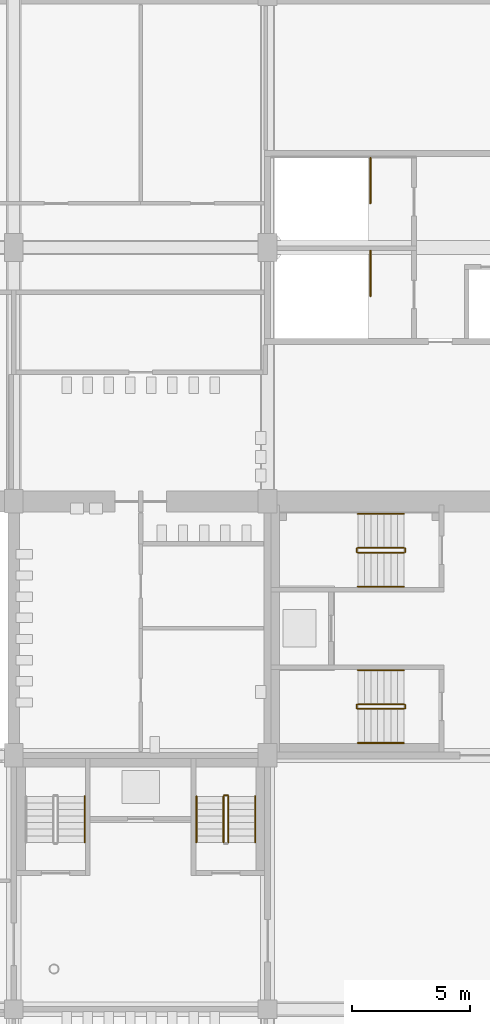
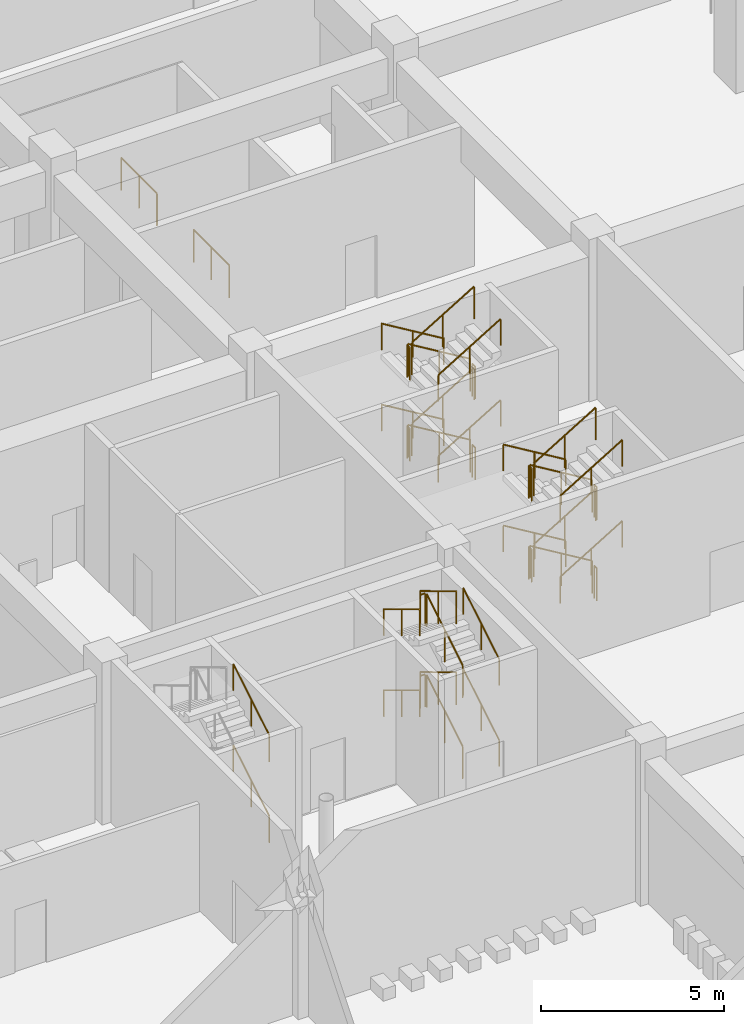
# One storey, part 80 of 101: 38 railings.
"""IFC4 building model written with IfcOpenShell, lengths in metres."""

from ifc_helpers import new_model, si_unit, direction, frame, origin, origin_2d, place, context, subcontext, project, spatial, circle, extrude, material, type_object, element, save


model = new_model("IFC4")

# Units and contexts
model_context = context("Model", 3, precision=1e-05, world=origin(), true_north=direction((0.0, 1.0)))
body_context = subcontext(model_context, "Body", "Model", "MODEL_VIEW")
ifc_project = project(units=[si_unit("LENGTHUNIT", "METRE"), si_unit("AREAUNIT", "SQUARE_METRE"), si_unit("VOLUMEUNIT", "CUBIC_METRE"), si_unit("PLANEANGLEUNIT", "RADIAN"), si_unit("MASSUNIT", "GRAM", prefix="KILO")], contexts=[model_context])

# Site, building, storey
site_placement = place(None, origin())
site = spatial("IfcSite", under=ifc_project, at=site_placement, CompositionType="ELEMENT")
building_placement = place(site_placement, origin())
building = spatial("IfcBuilding", under=site, at=building_placement, Name="Magnolia Steps Interchange", CompositionType="ELEMENT")
storey_placement = place(building_placement, frame((0.0, 0.0, -5.39990234375)))
storey = spatial("IfcBuildingStorey", under=building, at=storey_placement, Name="B1", CompositionType="ELEMENT", Elevation=-5.39990234375)

# Railings
ifc_material_1 = material(Name="Stainless steel grade 304", Category="steel")
railing_type_1 = type_object("IfcRailingType", Name="Stair guard 1100", PredefinedType="GUARDRAIL", material=ifc_material_1)
railing_1_placement = place(storey_placement, frame((59.0, 44.573974609375, 0.168701171875)))
element("IfcRailing", 1, at=railing_1_placement, inside=storey, type_object=railing_type_1, Name="B1 ST5 stair guard 1", PredefinedType="GUARDRAIL", context=body_context, shape_type="SweptSolid", body=[
    extrude(circle(Radius=0.02392578125, at=origin_2d()), frame((0.0, 0.0, 1.076171875), z_axis=(-0.856493463811, 0.0, 0.516157869696), x_axis=(0.0, -1.0, 0.0)), (0.0, 0.0, 1.0), 2.288330078125),
    extrude(circle(Radius=0.02099609375, at=origin_2d()), origin(), (0.0, 0.0, 1.0), 1.052001953125),
    extrude(circle(Radius=0.02099609375, at=origin_2d()), frame((-0.97998046875, 0.0, 0.590576171875)), (0.0, 0.0, 1.0), 1.052001953125),
    extrude(circle(Radius=0.02099609375, at=origin_2d()), frame((-1.9599609375, 0.0, 1.18115234375)), (0.0, 0.0, 1.0), 1.052001953125),
])
railing_2_placement = place(storey_placement, frame((56.989990234375, 44.550048828125, 1.349853515625)))
element("IfcRailing", 2, at=railing_2_placement, inside=storey, type_object=railing_type_1, Name="B1 ST5 stair guard 2", PredefinedType="GUARDRAIL", context=body_context, shape_type="SweptSolid", body=[
    extrude(circle(Radius=0.02392578125, at=origin_2d()), frame((0.0, 0.0, 1.076171875), z_axis=(0.0, -1.0, 0.0), x_axis=(1.0, 0.0, 0.0)), (0.0, 0.0, 1.0), 0.150146484375),
    extrude(circle(Radius=0.02099609375, at=origin_2d()), origin(), (0.0, 0.0, 1.0), 1.052001953125),
    extrude(circle(Radius=0.02099609375, at=origin_2d()), frame((0.0, -0.150146484375, 0.0)), (0.0, 0.0, 1.0), 1.052001953125),
])
railing_3_placement = place(storey_placement, frame((57.0400390625, 44.3759765625, 1.5185546875)))
element("IfcRailing", 3, at=railing_3_placement, inside=storey, type_object=railing_type_1, Name="B1 ST5 stair guard 3", PredefinedType="GUARDRAIL", context=body_context, shape_type="SweptSolid", body=[
    extrude(circle(Radius=0.02392578125, at=origin_2d()), frame((0.0, 0.0, 1.076171875), z_axis=(0.856446297458, 0.0, 0.516236127728), x_axis=(0.0, 1.0, 0.0)), (0.0, 0.0, 1.0), 2.28857421875),
    extrude(circle(Radius=0.02099609375, at=origin_2d()), origin(), (0.0, 0.0, 1.0), 1.052001953125),
    extrude(circle(Radius=0.02099609375, at=origin_2d()), frame((0.97998046875, 0.0, 0.5908203125)), (0.0, 0.0, 1.0), 1.052001953125),
    extrude(circle(Radius=0.02099609375, at=origin_2d()), frame((1.9599609375, 0.0, 1.181396484375)), (0.0, 0.0, 1.0), 1.052001953125),
])
railing_4_placement = place(storey_placement, frame((59.050048828125, 44.550048828125, 2.699951171875)))
element("IfcRailing", 4, at=railing_4_placement, inside=storey, type_object=railing_type_1, Name="B1 ST5 stair guard 4", PredefinedType="GUARDRAIL", context=body_context, shape_type="SweptSolid", body=[
    extrude(circle(Radius=0.02392578125, at=origin_2d()), frame((0.0, 0.0, 1.076171875), z_axis=(0.0, -1.0, 0.0), x_axis=(1.0, 0.0, 0.0)), (0.0, 0.0, 1.0), 0.150146484375),
    extrude(circle(Radius=0.02099609375, at=origin_2d()), origin(), (0.0, 0.0, 1.0), 1.052001953125),
    extrude(circle(Radius=0.02099609375, at=origin_2d()), frame((0.0, -0.150146484375, 0.0)), (0.0, 0.0, 1.0), 1.052001953125),
])
railing_5_placement = place(storey_placement, frame((59.0, 44.573974609375, 2.86865234375)))
element("IfcRailing", 5, at=railing_5_placement, inside=storey, type_object=railing_type_1, Name="B1 ST5 stair guard 5", PredefinedType="GUARDRAIL", context=body_context, shape_type="SweptSolid", body=[
    extrude(circle(Radius=0.02392578125, at=origin_2d()), frame((0.0, 0.0, 1.076171875), z_axis=(-0.856493463811, 0.0, 0.516157869696), x_axis=(0.0, -1.0, 0.0)), (0.0, 0.0, 1.0), 2.288330078125),
    extrude(circle(Radius=0.02099609375, at=origin_2d()), origin(), (0.0, 0.0, 1.0), 1.052001953125),
    extrude(circle(Radius=0.02099609375, at=origin_2d()), frame((-0.97998046875, 0.0, 0.590576171875)), (0.0, 0.0, 1.0), 1.052001953125),
    extrude(circle(Radius=0.02099609375, at=origin_2d()), frame((-1.9599609375, 0.0, 1.18115234375)), (0.0, 0.0, 1.0), 1.052001953125),
])
railing_6_placement = place(storey_placement, frame((56.989990234375, 44.550048828125, 4.0498046875)))
element("IfcRailing", 6, at=railing_6_placement, inside=storey, type_object=railing_type_1, Name="B1 ST5 stair guard 6", PredefinedType="GUARDRAIL", context=body_context, shape_type="SweptSolid", body=[
    extrude(circle(Radius=0.02392578125, at=origin_2d()), frame((0.0, 0.0, 1.076171875), z_axis=(0.0, -1.0, 0.0), x_axis=(1.0, 0.0, 0.0)), (0.0, 0.0, 1.0), 0.150146484375),
    extrude(circle(Radius=0.02099609375, at=origin_2d()), origin(), (0.0, 0.0, 1.0), 1.052001953125),
    extrude(circle(Radius=0.02099609375, at=origin_2d()), frame((0.0, -0.150146484375, 0.0)), (0.0, 0.0, 1.0), 1.052001953125),
])
railing_7_placement = place(storey_placement, frame((57.0400390625, 44.3759765625, 4.21875)))
element("IfcRailing", 7, at=railing_7_placement, inside=storey, type_object=railing_type_1, Name="B1 ST5 stair guard 7", PredefinedType="GUARDRAIL", context=body_context, shape_type="SweptSolid", body=[
    extrude(circle(Radius=0.02392578125, at=origin_2d()), frame((0.0, 0.0, 1.076171875), z_axis=(0.856493463811, 0.0, 0.516157869696), x_axis=(0.0, 1.0, 0.0)), (0.0, 0.0, 1.0), 2.288330078125),
    extrude(circle(Radius=0.02099609375, at=origin_2d()), origin(), (0.0, 0.0, 1.0), 1.052001953125),
    extrude(circle(Radius=0.02099609375, at=origin_2d()), frame((0.97998046875, 0.0, 0.590576171875)), (0.0, 0.0, 1.0), 1.052001953125),
    extrude(circle(Radius=0.02099609375, at=origin_2d()), frame((1.9599609375, 0.0, 1.18115234375)), (0.0, 0.0, 1.0), 1.052001953125),
])
railing_8_placement = place(storey_placement, frame((59.050048828125, 44.550048828125, 0.0)))
element("IfcRailing", 8, at=railing_8_placement, inside=storey, type_object=railing_type_1, Name="B1 ST5 stair guard 8", PredefinedType="GUARDRAIL", context=body_context, shape_type="SweptSolid", body=[
    extrude(circle(Radius=0.02392578125, at=origin_2d()), frame((0.0, 0.0, 1.076171875), z_axis=(0.0, -1.0, 0.0), x_axis=(1.0, 0.0, 0.0)), (0.0, 0.0, 1.0), 0.150146484375),
    extrude(circle(Radius=0.02099609375, at=origin_2d()), origin(), (0.0, 0.0, 1.0), 1.052001953125),
    extrude(circle(Radius=0.02099609375, at=origin_2d()), frame((0.0, -0.150146484375, 0.0)), (0.0, 0.0, 1.0), 1.052001953125),
])
railing_9_placement = place(storey_placement, frame((59.0, 51.22412109375, 0.168701171875)))
element("IfcRailing", 9, at=railing_9_placement, inside=storey, type_object=railing_type_1, Name="B1 ST6 stair guard 1", PredefinedType="GUARDRAIL", context=body_context, shape_type="SweptSolid", body=[
    extrude(circle(Radius=0.02392578125, at=origin_2d()), frame((0.0, 0.0, 1.076171875), z_axis=(-0.856493463811, 0.0, 0.516157869696), x_axis=(0.0, -1.0, 0.0)), (0.0, 0.0, 1.0), 2.288330078125),
    extrude(circle(Radius=0.02099609375, at=origin_2d()), origin(), (0.0, 0.0, 1.0), 1.052001953125),
    extrude(circle(Radius=0.02099609375, at=origin_2d()), frame((-0.97998046875, 0.0, 0.590576171875)), (0.0, 0.0, 1.0), 1.052001953125),
    extrude(circle(Radius=0.02099609375, at=origin_2d()), frame((-1.9599609375, 0.0, 1.18115234375)), (0.0, 0.0, 1.0), 1.052001953125),
])
railing_10_placement = place(storey_placement, frame((56.989990234375, 51.199951171875, 1.349853515625)))
element("IfcRailing", 10, at=railing_10_placement, inside=storey, type_object=railing_type_1, Name="B1 ST6 stair guard 2", PredefinedType="GUARDRAIL", context=body_context, shape_type="SweptSolid", body=[
    extrude(circle(Radius=0.02392578125, at=origin_2d()), frame((0.0, 0.0, 1.076171875), z_axis=(0.0, -1.0, 0.0), x_axis=(1.0, 0.0, 0.0)), (0.0, 0.0, 1.0), 0.14990234375),
    extrude(circle(Radius=0.02099609375, at=origin_2d()), origin(), (0.0, 0.0, 1.0), 1.052001953125),
    extrude(circle(Radius=0.02099609375, at=origin_2d()), frame((0.0, -0.14990234375, 0.0)), (0.0, 0.0, 1.0), 1.052001953125),
])
railing_11_placement = place(storey_placement, frame((57.0400390625, 51.02587890625, 1.5185546875)))
element("IfcRailing", 11, at=railing_11_placement, inside=storey, type_object=railing_type_1, Name="B1 ST6 stair guard 3", PredefinedType="GUARDRAIL", context=body_context, shape_type="SweptSolid", body=[
    extrude(circle(Radius=0.02392578125, at=origin_2d()), frame((0.0, 0.0, 1.076171875), z_axis=(0.856446297458, 0.0, 0.516236127728), x_axis=(0.0, 1.0, 0.0)), (0.0, 0.0, 1.0), 2.28857421875),
    extrude(circle(Radius=0.02099609375, at=origin_2d()), origin(), (0.0, 0.0, 1.0), 1.052001953125),
    extrude(circle(Radius=0.02099609375, at=origin_2d()), frame((0.97998046875, 0.0, 0.5908203125)), (0.0, 0.0, 1.0), 1.052001953125),
    extrude(circle(Radius=0.02099609375, at=origin_2d()), frame((1.9599609375, 0.0, 1.181396484375)), (0.0, 0.0, 1.0), 1.052001953125),
])
railing_12_placement = place(storey_placement, frame((59.050048828125, 51.199951171875, 2.699951171875)))
element("IfcRailing", 12, at=railing_12_placement, inside=storey, type_object=railing_type_1, Name="B1 ST6 stair guard 4", PredefinedType="GUARDRAIL", context=body_context, shape_type="SweptSolid", body=[
    extrude(circle(Radius=0.02392578125, at=origin_2d()), frame((0.0, 0.0, 1.076171875), z_axis=(0.0, -1.0, 0.0), x_axis=(1.0, 0.0, 0.0)), (0.0, 0.0, 1.0), 0.14990234375),
    extrude(circle(Radius=0.02099609375, at=origin_2d()), origin(), (0.0, 0.0, 1.0), 1.052001953125),
    extrude(circle(Radius=0.02099609375, at=origin_2d()), frame((0.0, -0.14990234375, 0.0)), (0.0, 0.0, 1.0), 1.052001953125),
])
railing_13_placement = place(storey_placement, frame((59.0, 51.22412109375, 2.86865234375)))
element("IfcRailing", 13, at=railing_13_placement, inside=storey, type_object=railing_type_1, Name="B1 ST6 stair guard 5", PredefinedType="GUARDRAIL", context=body_context, shape_type="SweptSolid", body=[
    extrude(circle(Radius=0.02392578125, at=origin_2d()), frame((0.0, 0.0, 1.076171875), z_axis=(-0.856493463811, 0.0, 0.516157869696), x_axis=(0.0, -1.0, 0.0)), (0.0, 0.0, 1.0), 2.288330078125),
    extrude(circle(Radius=0.02099609375, at=origin_2d()), origin(), (0.0, 0.0, 1.0), 1.052001953125),
    extrude(circle(Radius=0.02099609375, at=origin_2d()), frame((-0.97998046875, 0.0, 0.590576171875)), (0.0, 0.0, 1.0), 1.052001953125),
    extrude(circle(Radius=0.02099609375, at=origin_2d()), frame((-1.9599609375, 0.0, 1.18115234375)), (0.0, 0.0, 1.0), 1.052001953125),
])
railing_14_placement = place(storey_placement, frame((56.989990234375, 51.199951171875, 4.0498046875)))
element("IfcRailing", 14, at=railing_14_placement, inside=storey, type_object=railing_type_1, Name="B1 ST6 stair guard 6", PredefinedType="GUARDRAIL", context=body_context, shape_type="SweptSolid", body=[
    extrude(circle(Radius=0.02392578125, at=origin_2d()), frame((0.0, 0.0, 1.076171875), z_axis=(0.0, -1.0, 0.0), x_axis=(1.0, 0.0, 0.0)), (0.0, 0.0, 1.0), 0.14990234375),
    extrude(circle(Radius=0.02099609375, at=origin_2d()), origin(), (0.0, 0.0, 1.0), 1.052001953125),
    extrude(circle(Radius=0.02099609375, at=origin_2d()), frame((0.0, -0.14990234375, 0.0)), (0.0, 0.0, 1.0), 1.052001953125),
])
railing_15_placement = place(storey_placement, frame((57.0400390625, 51.02587890625, 4.21875)))
element("IfcRailing", 15, at=railing_15_placement, inside=storey, type_object=railing_type_1, Name="B1 ST6 stair guard 7", PredefinedType="GUARDRAIL", context=body_context, shape_type="SweptSolid", body=[
    extrude(circle(Radius=0.02392578125, at=origin_2d()), frame((0.0, 0.0, 1.076171875), z_axis=(0.856493463811, 0.0, 0.516157869696), x_axis=(0.0, 1.0, 0.0)), (0.0, 0.0, 1.0), 2.288330078125),
    extrude(circle(Radius=0.02099609375, at=origin_2d()), origin(), (0.0, 0.0, 1.0), 1.052001953125),
    extrude(circle(Radius=0.02099609375, at=origin_2d()), frame((0.97998046875, 0.0, 0.590576171875)), (0.0, 0.0, 1.0), 1.052001953125),
    extrude(circle(Radius=0.02099609375, at=origin_2d()), frame((1.9599609375, 0.0, 1.18115234375)), (0.0, 0.0, 1.0), 1.052001953125),
])
railing_16_placement = place(storey_placement, frame((59.050048828125, 51.199951171875, 0.0)))
element("IfcRailing", 16, at=railing_16_placement, inside=storey, type_object=railing_type_1, Name="B1 ST6 stair guard 8", PredefinedType="GUARDRAIL", context=body_context, shape_type="SweptSolid", body=[
    extrude(circle(Radius=0.02392578125, at=origin_2d()), frame((0.0, 0.0, 1.076171875), z_axis=(0.0, -1.0, 0.0), x_axis=(1.0, 0.0, 0.0)), (0.0, 0.0, 1.0), 0.14990234375),
    extrude(circle(Radius=0.02099609375, at=origin_2d()), origin(), (0.0, 0.0, 1.0), 1.052001953125),
    extrude(circle(Radius=0.02099609375, at=origin_2d()), frame((0.0, -0.14990234375, 0.0)), (0.0, 0.0, 1.0), 1.052001953125),
])
for number, where, name in (
    (17, (57.574951171875, 63.875, 0.0), "B1 ST9 top well guard 1"),
    (18, (57.574951171875, 67.824951171875, 0.0), "B1 ST10 top well guard 1"),
):
    element("IfcRailing", number, at=place(storey_placement, frame(where)), inside=storey, type_object=railing_type_1, Name=name, PredefinedType="GUARDRAIL", context=body_context, shape_type="SweptSolid", body=[
        extrude(circle(Radius=0.02392578125, at=origin_2d()), frame((0.0, 0.0, 1.076171875), z_axis=(0.0, -1.0, 0.0), x_axis=(1.0, 0.0, 0.0)), (0.0, 0.0, 1.0), 1.949951171875),
        extrude(circle(Radius=0.02099609375, at=origin_2d()), origin(), (0.0, 0.0, 1.0), 1.052001953125),
        extrude(circle(Radius=0.02099609375, at=origin_2d()), frame((0.0, -0.97509765625, 0.0)), (0.0, 0.0, 1.0), 1.052001953125),
        extrude(circle(Radius=0.02099609375, at=origin_2d()), frame((0.0, -1.949951171875, 0.0)), (0.0, 0.0, 1.0), 1.052001953125),
    ])
railing_17_placement = place(storey_placement, frame((51.52392578125, 38.699951171875, 0.168701171875)))
element("IfcRailing", 19, at=railing_17_placement, inside=storey, type_object=railing_type_1, Name="B1 ST18 stair guard 1", PredefinedType="GUARDRAIL", context=body_context, shape_type="SweptSolid", body=[
    extrude(circle(Radius=0.02392578125, at=origin_2d()), frame((0.0, 0.0, 1.076171875), z_axis=(0.0, 0.856493463811, 0.516157869696), x_axis=(-1.0, 0.0, 0.0)), (0.0, 0.0, 1.0), 2.288330078125),
    extrude(circle(Radius=0.02099609375, at=origin_2d()), origin(), (0.0, 0.0, 1.0), 1.052001953125),
    extrude(circle(Radius=0.02099609375, at=origin_2d()), frame((0.0, 0.97998046875, 0.590576171875)), (0.0, 0.0, 1.0), 1.052001953125),
    extrude(circle(Radius=0.02099609375, at=origin_2d()), frame((0.0, 1.9599609375, 1.18115234375)), (0.0, 0.0, 1.0), 1.052001953125),
])
railing_18_placement = place(storey_placement, frame((51.5, 40.7099609375, 1.349853515625)))
element("IfcRailing", 20, at=railing_18_placement, inside=storey, type_object=railing_type_1, Name="B1 ST18 stair guard 2", PredefinedType="GUARDRAIL", context=body_context, shape_type="SweptSolid", body=[
    extrude(circle(Radius=0.02392578125, at=origin_2d()), frame((0.0, 0.0, 1.076171875), z_axis=(-1.0, 0.0, 0.0), x_axis=(0.0, -1.0, 0.0)), (0.0, 0.0, 1.0), 0.14990234375),
    extrude(circle(Radius=0.02099609375, at=origin_2d()), origin(), (0.0, 0.0, 1.0), 1.052001953125),
    extrude(circle(Radius=0.02099609375, at=origin_2d()), frame((-0.14990234375, 0.0, 0.0)), (0.0, 0.0, 1.0), 1.052001953125),
])
railing_19_placement = place(storey_placement, frame((51.325927734375, 40.659912109375, 1.5185546875)))
element("IfcRailing", 21, at=railing_19_placement, inside=storey, type_object=railing_type_1, Name="B1 ST18 stair guard 3", PredefinedType="GUARDRAIL", context=body_context, shape_type="SweptSolid", body=[
    extrude(circle(Radius=0.02392578125, at=origin_2d()), frame((0.0, 0.0, 1.076171875), z_axis=(0.0, -0.856446297458, 0.516236127728), x_axis=(1.0, 0.0, 0.0)), (0.0, 0.0, 1.0), 2.28857421875),
    extrude(circle(Radius=0.02099609375, at=origin_2d()), origin(), (0.0, 0.0, 1.0), 1.052001953125),
    extrude(circle(Radius=0.02099609375, at=origin_2d()), frame((0.0, -0.97998046875, 0.5908203125)), (0.0, 0.0, 1.0), 1.052001953125),
    extrude(circle(Radius=0.02099609375, at=origin_2d()), frame((0.0, -1.9599609375, 1.181396484375)), (0.0, 0.0, 1.0), 1.052001953125),
])
railing_20_placement = place(storey_placement, frame((51.52392578125, 38.699951171875, 2.86865234375)))
element("IfcRailing", 22, at=railing_20_placement, inside=storey, type_object=railing_type_1, Name="B1 ST18 stair guard 5", PredefinedType="GUARDRAIL", context=body_context, shape_type="SweptSolid", body=[
    extrude(circle(Radius=0.02392578125, at=origin_2d()), frame((0.0, 0.0, 1.076171875), z_axis=(0.0, 0.856493463811, 0.516157869696), x_axis=(-1.0, 0.0, 0.0)), (0.0, 0.0, 1.0), 2.288330078125),
    extrude(circle(Radius=0.02099609375, at=origin_2d()), origin(), (0.0, 0.0, 1.0), 1.052001953125),
    extrude(circle(Radius=0.02099609375, at=origin_2d()), frame((0.0, 0.97998046875, 0.590576171875)), (0.0, 0.0, 1.0), 1.052001953125),
    extrude(circle(Radius=0.02099609375, at=origin_2d()), frame((0.0, 1.9599609375, 1.18115234375)), (0.0, 0.0, 1.0), 1.052001953125),
])
railing_21_placement = place(storey_placement, frame((51.5, 40.7099609375, 4.0498046875)))
element("IfcRailing", 23, at=railing_21_placement, inside=storey, type_object=railing_type_1, Name="B1 ST18 stair guard 6", PredefinedType="GUARDRAIL", context=body_context, shape_type="SweptSolid", body=[
    extrude(circle(Radius=0.02392578125, at=origin_2d()), frame((0.0, 0.0, 1.076171875), z_axis=(-1.0, 0.0, 0.0), x_axis=(0.0, -1.0, 0.0)), (0.0, 0.0, 1.0), 0.14990234375),
    extrude(circle(Radius=0.02099609375, at=origin_2d()), origin(), (0.0, 0.0, 1.0), 1.052001953125),
    extrude(circle(Radius=0.02099609375, at=origin_2d()), frame((-0.14990234375, 0.0, 0.0)), (0.0, 0.0, 1.0), 1.052001953125),
])
railing_22_placement = place(storey_placement, frame((51.325927734375, 40.659912109375, 4.21875)))
element("IfcRailing", 24, at=railing_22_placement, inside=storey, type_object=railing_type_1, Name="B1 ST18 stair guard 7", PredefinedType="GUARDRAIL", context=body_context, shape_type="SweptSolid", body=[
    extrude(circle(Radius=0.02392578125, at=origin_2d()), frame((0.0, 0.0, 1.076171875), z_axis=(0.0, -0.856493463811, 0.516157869696), x_axis=(1.0, 0.0, 0.0)), (0.0, 0.0, 1.0), 2.288330078125),
    extrude(circle(Radius=0.02099609375, at=origin_2d()), origin(), (0.0, 0.0, 1.0), 1.052001953125),
    extrude(circle(Radius=0.02099609375, at=origin_2d()), frame((0.0, -0.97998046875, 0.590576171875)), (0.0, 0.0, 1.0), 1.052001953125),
    extrude(circle(Radius=0.02099609375, at=origin_2d()), frame((0.0, -1.9599609375, 1.18115234375)), (0.0, 0.0, 1.0), 1.052001953125),
])
ifc_material_2 = material(Name="Stainless steel grade 304", Category="steel")
railing_type_2 = type_object("IfcRailingType", Name="Stair handrail 900", PredefinedType="HANDRAIL", material=ifc_material_2)
railing_23_placement = place(storey_placement, frame((59.0, 46.02587890625, 0.168701171875)))
element("IfcRailing", 25, at=railing_23_placement, inside=storey, type_object=railing_type_2, Name="B1 ST5 stair handrail 1", PredefinedType="HANDRAIL", context=body_context, shape_type="SweptSolid", body=[
    extrude(circle(Radius=0.02392578125, at=origin_2d()), frame((0.0, 0.0, 0.8759765625), z_axis=(-0.856493463811, 0.0, 0.516157869696), x_axis=(0.0, -1.0, 0.0)), (0.0, 0.0, 1.0), 2.288330078125),
    extrude(circle(Radius=0.02099609375, at=origin_2d()), origin(), (0.0, 0.0, 1.0), 0.851806640625),
    extrude(circle(Radius=0.02099609375, at=origin_2d()), frame((-0.97998046875, 0.0, 0.590576171875)), (0.0, 0.0, 1.0), 0.851806640625),
    extrude(circle(Radius=0.02099609375, at=origin_2d()), frame((-1.9599609375, 0.0, 1.18115234375)), (0.0, 0.0, 1.0), 0.851806640625),
])
railing_24_placement = place(storey_placement, frame((57.0400390625, 42.924072265625, 1.5185546875)))
element("IfcRailing", 26, at=railing_24_placement, inside=storey, type_object=railing_type_2, Name="B1 ST5 stair handrail 2", PredefinedType="HANDRAIL", context=body_context, shape_type="SweptSolid", body=[
    extrude(circle(Radius=0.02392578125, at=origin_2d()), frame((0.0, 0.0, 0.8759765625), z_axis=(0.856446297458, 0.0, 0.516236127728), x_axis=(0.0, 1.0, 0.0)), (0.0, 0.0, 1.0), 2.28857421875),
    extrude(circle(Radius=0.02099609375, at=origin_2d()), origin(), (0.0, 0.0, 1.0), 0.851806640625),
    extrude(circle(Radius=0.02099609375, at=origin_2d()), frame((0.97998046875, 0.0, 0.5908203125)), (0.0, 0.0, 1.0), 0.851806640625),
    extrude(circle(Radius=0.02099609375, at=origin_2d()), frame((1.9599609375, 0.0, 1.181396484375)), (0.0, 0.0, 1.0), 0.851806640625),
])
railing_25_placement = place(storey_placement, frame((59.0, 46.02587890625, 2.86865234375)))
element("IfcRailing", 27, at=railing_25_placement, inside=storey, type_object=railing_type_2, Name="B1 ST5 stair handrail 3", PredefinedType="HANDRAIL", context=body_context, shape_type="SweptSolid", body=[
    extrude(circle(Radius=0.02392578125, at=origin_2d()), frame((0.0, 0.0, 0.8759765625), z_axis=(-0.856493463811, 0.0, 0.516157869696), x_axis=(0.0, -1.0, 0.0)), (0.0, 0.0, 1.0), 2.288330078125),
    extrude(circle(Radius=0.02099609375, at=origin_2d()), origin(), (0.0, 0.0, 1.0), 0.851806640625),
    extrude(circle(Radius=0.02099609375, at=origin_2d()), frame((-0.97998046875, 0.0, 0.590576171875)), (0.0, 0.0, 1.0), 0.851806640625),
    extrude(circle(Radius=0.02099609375, at=origin_2d()), frame((-1.9599609375, 0.0, 1.18115234375)), (0.0, 0.0, 1.0), 0.851806640625),
])
railing_26_placement = place(storey_placement, frame((57.0400390625, 42.924072265625, 4.21875)))
element("IfcRailing", 28, at=railing_26_placement, inside=storey, type_object=railing_type_2, Name="B1 ST5 stair handrail 4", PredefinedType="HANDRAIL", context=body_context, shape_type="SweptSolid", body=[
    extrude(circle(Radius=0.02392578125, at=origin_2d()), frame((0.0, 0.0, 0.8759765625), z_axis=(0.856493463811, 0.0, 0.516157869696), x_axis=(0.0, 1.0, 0.0)), (0.0, 0.0, 1.0), 2.288330078125),
    extrude(circle(Radius=0.02099609375, at=origin_2d()), origin(), (0.0, 0.0, 1.0), 0.851806640625),
    extrude(circle(Radius=0.02099609375, at=origin_2d()), frame((0.97998046875, 0.0, 0.590576171875)), (0.0, 0.0, 1.0), 0.851806640625),
    extrude(circle(Radius=0.02099609375, at=origin_2d()), frame((1.9599609375, 0.0, 1.18115234375)), (0.0, 0.0, 1.0), 0.851806640625),
])
railing_27_placement = place(storey_placement, frame((59.0, 52.676025390625, 0.168701171875)))
element("IfcRailing", 29, at=railing_27_placement, inside=storey, type_object=railing_type_2, Name="B1 ST6 stair handrail 1", PredefinedType="HANDRAIL", context=body_context, shape_type="SweptSolid", body=[
    extrude(circle(Radius=0.02392578125, at=origin_2d()), frame((0.0, 0.0, 0.8759765625), z_axis=(-0.856493463811, 0.0, 0.516157869696), x_axis=(0.0, -1.0, 0.0)), (0.0, 0.0, 1.0), 2.288330078125),
    extrude(circle(Radius=0.02099609375, at=origin_2d()), origin(), (0.0, 0.0, 1.0), 0.851806640625),
    extrude(circle(Radius=0.02099609375, at=origin_2d()), frame((-0.97998046875, 0.0, 0.590576171875)), (0.0, 0.0, 1.0), 0.851806640625),
    extrude(circle(Radius=0.02099609375, at=origin_2d()), frame((-1.9599609375, 0.0, 1.18115234375)), (0.0, 0.0, 1.0), 0.851806640625),
])
railing_28_placement = place(storey_placement, frame((57.0400390625, 49.573974609375, 1.5185546875)))
element("IfcRailing", 30, at=railing_28_placement, inside=storey, type_object=railing_type_2, Name="B1 ST6 stair handrail 2", PredefinedType="HANDRAIL", context=body_context, shape_type="SweptSolid", body=[
    extrude(circle(Radius=0.02392578125, at=origin_2d()), frame((0.0, 0.0, 0.8759765625), z_axis=(0.856446297458, 0.0, 0.516236127728), x_axis=(0.0, 1.0, 0.0)), (0.0, 0.0, 1.0), 2.28857421875),
    extrude(circle(Radius=0.02099609375, at=origin_2d()), origin(), (0.0, 0.0, 1.0), 0.851806640625),
    extrude(circle(Radius=0.02099609375, at=origin_2d()), frame((0.97998046875, 0.0, 0.5908203125)), (0.0, 0.0, 1.0), 0.851806640625),
    extrude(circle(Radius=0.02099609375, at=origin_2d()), frame((1.9599609375, 0.0, 1.181396484375)), (0.0, 0.0, 1.0), 0.851806640625),
])
railing_29_placement = place(storey_placement, frame((59.0, 52.676025390625, 2.86865234375)))
element("IfcRailing", 31, at=railing_29_placement, inside=storey, type_object=railing_type_2, Name="B1 ST6 stair handrail 3", PredefinedType="HANDRAIL", context=body_context, shape_type="SweptSolid", body=[
    extrude(circle(Radius=0.02392578125, at=origin_2d()), frame((0.0, 0.0, 0.8759765625), z_axis=(-0.856493463811, 0.0, 0.516157869696), x_axis=(0.0, -1.0, 0.0)), (0.0, 0.0, 1.0), 2.288330078125),
    extrude(circle(Radius=0.02099609375, at=origin_2d()), origin(), (0.0, 0.0, 1.0), 0.851806640625),
    extrude(circle(Radius=0.02099609375, at=origin_2d()), frame((-0.97998046875, 0.0, 0.590576171875)), (0.0, 0.0, 1.0), 0.851806640625),
    extrude(circle(Radius=0.02099609375, at=origin_2d()), frame((-1.9599609375, 0.0, 1.18115234375)), (0.0, 0.0, 1.0), 0.851806640625),
])
railing_30_placement = place(storey_placement, frame((57.0400390625, 49.573974609375, 4.21875)))
element("IfcRailing", 32, at=railing_30_placement, inside=storey, type_object=railing_type_2, Name="B1 ST6 stair handrail 4", PredefinedType="HANDRAIL", context=body_context, shape_type="SweptSolid", body=[
    extrude(circle(Radius=0.02392578125, at=origin_2d()), frame((0.0, 0.0, 0.8759765625), z_axis=(0.856493463811, 0.0, 0.516157869696), x_axis=(0.0, 1.0, 0.0)), (0.0, 0.0, 1.0), 2.288330078125),
    extrude(circle(Radius=0.02099609375, at=origin_2d()), origin(), (0.0, 0.0, 1.0), 0.851806640625),
    extrude(circle(Radius=0.02099609375, at=origin_2d()), frame((0.97998046875, 0.0, 0.590576171875)), (0.0, 0.0, 1.0), 0.851806640625),
    extrude(circle(Radius=0.02099609375, at=origin_2d()), frame((1.9599609375, 0.0, 1.18115234375)), (0.0, 0.0, 1.0), 0.851806640625),
])
for number, where, name in (
    (33, (45.426025390625, 38.699951171875, 0.168701171875), "B1 ST17 stair handrail 1"),
    (34, (45.426025390625, 38.699951171875, 2.86865234375), "B1 ST17 stair handrail 3"),
    (35, (52.676025390625, 38.699951171875, 0.168701171875), "B1 ST18 stair handrail 1"),
):
    element("IfcRailing", number, at=place(storey_placement, frame(where)), inside=storey, type_object=railing_type_2, Name=name, PredefinedType="HANDRAIL", context=body_context, shape_type="SweptSolid", body=[
        extrude(circle(Radius=0.02392578125, at=origin_2d()), frame((0.0, 0.0, 0.8759765625), z_axis=(0.0, 0.856493463811, 0.516157869696), x_axis=(-1.0, 0.0, 0.0)), (0.0, 0.0, 1.0), 2.288330078125),
        extrude(circle(Radius=0.02099609375, at=origin_2d()), origin(), (0.0, 0.0, 1.0), 0.851806640625),
        extrude(circle(Radius=0.02099609375, at=origin_2d()), frame((0.0, 0.97998046875, 0.590576171875)), (0.0, 0.0, 1.0), 0.851806640625),
        extrude(circle(Radius=0.02099609375, at=origin_2d()), frame((0.0, 1.9599609375, 1.18115234375)), (0.0, 0.0, 1.0), 0.851806640625),
    ])
railing_31_placement = place(storey_placement, frame((50.174072265625, 40.659912109375, 1.5185546875)))
element("IfcRailing", 36, at=railing_31_placement, inside=storey, type_object=railing_type_2, Name="B1 ST18 stair handrail 2", PredefinedType="HANDRAIL", context=body_context, shape_type="SweptSolid", body=[
    extrude(circle(Radius=0.02392578125, at=origin_2d()), frame((0.0, 0.0, 0.8759765625), z_axis=(0.0, -0.856446297458, 0.516236127728), x_axis=(1.0, 0.0, 0.0)), (0.0, 0.0, 1.0), 2.28857421875),
    extrude(circle(Radius=0.02099609375, at=origin_2d()), origin(), (0.0, 0.0, 1.0), 0.851806640625),
    extrude(circle(Radius=0.02099609375, at=origin_2d()), frame((0.0, -0.97998046875, 0.5908203125)), (0.0, 0.0, 1.0), 0.851806640625),
    extrude(circle(Radius=0.02099609375, at=origin_2d()), frame((0.0, -1.9599609375, 1.181396484375)), (0.0, 0.0, 1.0), 0.851806640625),
])
railing_32_placement = place(storey_placement, frame((52.676025390625, 38.699951171875, 2.86865234375)))
element("IfcRailing", 37, at=railing_32_placement, inside=storey, type_object=railing_type_2, Name="B1 ST18 stair handrail 3", PredefinedType="HANDRAIL", context=body_context, shape_type="SweptSolid", body=[
    extrude(circle(Radius=0.02392578125, at=origin_2d()), frame((0.0, 0.0, 0.8759765625), z_axis=(0.0, 0.856493463811, 0.516157869696), x_axis=(-1.0, 0.0, 0.0)), (0.0, 0.0, 1.0), 2.288330078125),
    extrude(circle(Radius=0.02099609375, at=origin_2d()), origin(), (0.0, 0.0, 1.0), 0.851806640625),
    extrude(circle(Radius=0.02099609375, at=origin_2d()), frame((0.0, 0.97998046875, 0.590576171875)), (0.0, 0.0, 1.0), 0.851806640625),
    extrude(circle(Radius=0.02099609375, at=origin_2d()), frame((0.0, 1.9599609375, 1.18115234375)), (0.0, 0.0, 1.0), 0.851806640625),
])
railing_33_placement = place(storey_placement, frame((50.174072265625, 40.659912109375, 4.21875)))
element("IfcRailing", 38, at=railing_33_placement, inside=storey, type_object=railing_type_2, Name="B1 ST18 stair handrail 4", PredefinedType="HANDRAIL", context=body_context, shape_type="SweptSolid", body=[
    extrude(circle(Radius=0.02392578125, at=origin_2d()), frame((0.0, 0.0, 0.8759765625), z_axis=(0.0, -0.856493463811, 0.516157869696), x_axis=(1.0, 0.0, 0.0)), (0.0, 0.0, 1.0), 2.288330078125),
    extrude(circle(Radius=0.02099609375, at=origin_2d()), origin(), (0.0, 0.0, 1.0), 0.851806640625),
    extrude(circle(Radius=0.02099609375, at=origin_2d()), frame((0.0, -0.97998046875, 0.590576171875)), (0.0, 0.0, 1.0), 0.851806640625),
    extrude(circle(Radius=0.02099609375, at=origin_2d()), frame((0.0, -1.9599609375, 1.18115234375)), (0.0, 0.0, 1.0), 0.851806640625),
])

save(model, "model.ifc")
